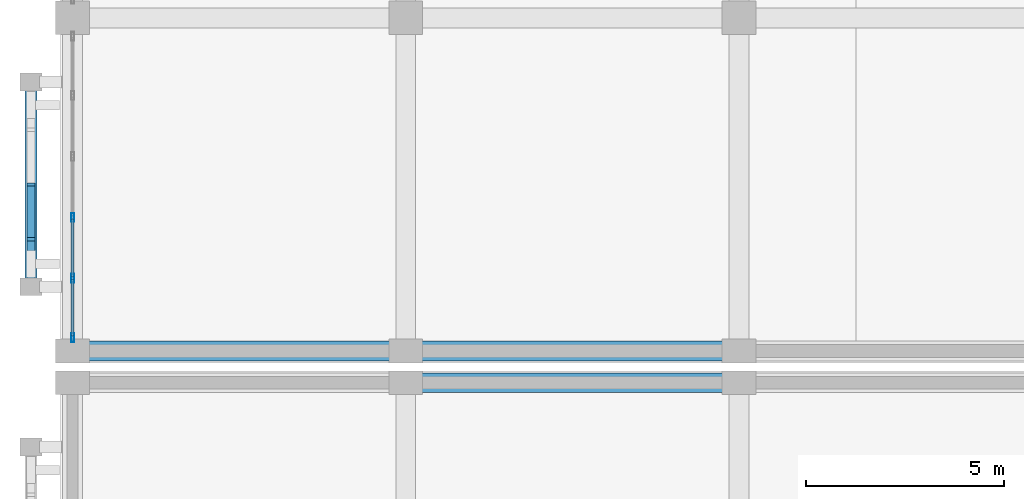
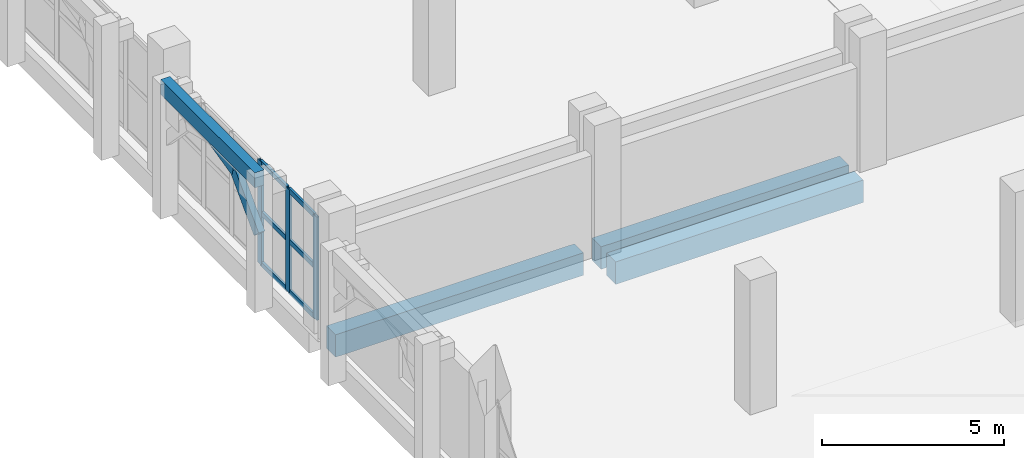
# One storey, part 22 of 137: 11 members, 4 beams, 1 element without a shape of its own.
"""IFC4 building model written with IfcOpenShell, lengths in metres."""

from ifc_helpers import new_model, si_unit, direction, frame, origin, origin_2d, place, context, subcontext, project, spatial, rectangle, hollow_rectangle, extrude, material, layer, layer_set, material_profile, profile_set, type_object, element, aggregate, save


model = new_model("IFC4")

# Units and contexts
model_context = context("Model", 3, precision=1e-05, world=origin(), true_north=direction((0.0, 1.0)))
body_context = subcontext(model_context, "Body", "Model", "MODEL_VIEW")
ifc_project = project(units=[si_unit("LENGTHUNIT", "METRE"), si_unit("AREAUNIT", "SQUARE_METRE"), si_unit("VOLUMEUNIT", "CUBIC_METRE"), si_unit("PLANEANGLEUNIT", "RADIAN"), si_unit("MASSUNIT", "GRAM", prefix="KILO")], contexts=[model_context])

# Site, building, storey
site_placement = place(None, origin())
site = spatial("IfcSite", under=ifc_project, at=site_placement, CompositionType="ELEMENT")
building_placement = place(site_placement, origin())
building = spatial("IfcBuilding", under=site, at=building_placement, Name="Xazarin Passage Department Store", CompositionType="ELEMENT")
storey_placement = place(building_placement, frame((0.0, 0.0, 5.39990234375)))
storey = spatial("IfcBuildingStorey", under=building, at=storey_placement, Name="L01", CompositionType="ELEMENT", Elevation=5.39990234375)

# Curtain wall, members
ifc_material_1 = material(Name="Bronze anodised aluminium", Category="aluminium")
ifc_layer = layer(ifc_material_1, 0.179931640625)
ifc_layer_set = layer_set([ifc_layer], Name="Bronze anodised aluminium")
curtain_wall_type = type_object("IfcCurtainWallType", Name="ARC-CW-VIT1", PredefinedType="NOTDEFINED", material=ifc_layer_set)
curtain_wall_placement = place(storey_placement, origin())
curtain_wall = element("IfcCurtainWall", 1, at=curtain_wall_placement, inside=storey, type_object=curtain_wall_type, Name="L01 V1 Curtain Wall 018", PredefinedType="NOTDEFINED")
ifc_material_profile_1 = material_profile(ifc_material_1, hollow_rectangle(XDim=0.074951171875, YDim=0.219970703125, WallThickness=0.0048828125, at=origin_2d()), Name="ALU 75x220")
ifc_profile_set_1 = profile_set([ifc_material_profile_1], Name="Bronze anodised aluminium")
member_type_1 = type_object("IfcMemberType", Name="ARC-CWM-75x220", PredefinedType="MULLION", material=ifc_profile_set_1)
member_1_placement = place(storey_placement, frame((0.0, 51.53759765625, 0.0), z_axis=(0.0, 0.0, 1.0), x_axis=(-1.0, 0.0, 0.0)))
member_1 = element("IfcMember", 2, at=member_1_placement, type_object=member_type_1, Name="CW1 mullion 1", PredefinedType="MULLION", context=body_context, shape_type="SweptSolid", body=[
    extrude(hollow_rectangle(XDim=0.074951171875, YDim=0.219970703125, WallThickness=0.0048828125, at=origin_2d()), origin(), (0.0, 0.0, 1.0), 3.4501953125),
])
member_2_placement = place(storey_placement, frame((0.0, 53.034912109375, 0.0), z_axis=(0.0, 0.0, 1.0), x_axis=(-1.0, 0.0, 0.0)))
member_2 = element("IfcMember", 3, at=member_2_placement, type_object=member_type_1, Name="CW1 mullion 2", PredefinedType="MULLION", context=body_context, shape_type="SweptSolid", body=[
    extrude(hollow_rectangle(XDim=0.074951171875, YDim=0.219970703125, WallThickness=0.0048828125, at=origin_2d()), origin(), (0.0, 0.0, 1.0), 3.4501953125),
])
member_3_placement = place(storey_placement, frame((0.0, 54.570068359375, 0.0), z_axis=(0.0, 0.0, 1.0), x_axis=(-1.0, 0.0, 0.0)))
member_3 = element("IfcMember", 4, at=member_3_placement, type_object=member_type_1, Name="CW1 mullion 3", PredefinedType="MULLION", context=body_context, shape_type="SweptSolid", body=[
    extrude(hollow_rectangle(XDim=0.074951171875, YDim=0.219970703125, WallThickness=0.0048828125, at=origin_2d()), origin(), (0.0, 0.0, 1.0), 3.4501953125),
])
ifc_material_profile_2 = material_profile(ifc_material_1, hollow_rectangle(XDim=0.074951171875, YDim=0.159912109375, WallThickness=0.00439453125, at=origin_2d()), Name="ALU 75x160")
ifc_profile_set_2 = profile_set([ifc_material_profile_2], Name="Bronze anodised aluminium")
member_type_2 = type_object("IfcMemberType", Name="ARC-CWT-75x160", PredefinedType="USERDEFINED", material=ifc_profile_set_2)
member_4_placement = place(storey_placement, frame((0.0, 51.574951171875, 0.03759765625), z_axis=(0.0, 1.0, 0.0), x_axis=(-1.0, 0.0, 0.0)))
member_4 = element("IfcMember", 5, at=member_4_placement, type_object=member_type_2, Name="CW1 transom 1.1", ObjectType="TRANSOM", PredefinedType="USERDEFINED", context=body_context, shape_type="SweptSolid", body=[
    extrude(hollow_rectangle(XDim=0.074951171875, YDim=0.159912109375, WallThickness=0.00439453125, at=origin_2d()), origin(), (0.0, 0.0, 1.0), 1.422607421875),
])
member_5_placement = place(storey_placement, frame((0.0, 51.574951171875, 1.72509765625), z_axis=(0.0, 1.0, 0.0), x_axis=(-1.0, 0.0, 0.0)))
member_5 = element("IfcMember", 6, at=member_5_placement, type_object=member_type_2, Name="CW1 transom 1.2", ObjectType="TRANSOM", PredefinedType="USERDEFINED", context=body_context, shape_type="SweptSolid", body=[
    extrude(hollow_rectangle(XDim=0.074951171875, YDim=0.159912109375, WallThickness=0.00439453125, at=origin_2d()), origin(), (0.0, 0.0, 1.0), 1.422607421875),
])
member_6_placement = place(storey_placement, frame((0.0, 51.574951171875, 3.41259765625), z_axis=(0.0, 1.0, 0.0), x_axis=(-1.0, 0.0, 0.0)))
member_6 = element("IfcMember", 7, at=member_6_placement, type_object=member_type_2, Name="CW1 transom 1.3", ObjectType="TRANSOM", PredefinedType="USERDEFINED", context=body_context, shape_type="SweptSolid", body=[
    extrude(hollow_rectangle(XDim=0.074951171875, YDim=0.159912109375, WallThickness=0.00439453125, at=origin_2d()), origin(), (0.0, 0.0, 1.0), 1.422607421875),
])
member_7_placement = place(storey_placement, frame((0.0, 53.072509765625, 0.03759765625), z_axis=(0.0, 1.0, 0.0), x_axis=(-1.0, 0.0, 0.0)))
member_7 = element("IfcMember", 8, at=member_7_placement, type_object=member_type_2, Name="CW1 transom 2.1", ObjectType="TRANSOM", PredefinedType="USERDEFINED", context=body_context, shape_type="SweptSolid", body=[
    extrude(hollow_rectangle(XDim=0.074951171875, YDim=0.159912109375, WallThickness=0.00439453125, at=origin_2d()), origin(), (0.0, 0.0, 1.0), 1.4599609375),
])
member_8_placement = place(storey_placement, frame((0.0, 53.072509765625, 1.72509765625), z_axis=(0.0, 1.0, 0.0), x_axis=(-1.0, 0.0, 0.0)))
member_8 = element("IfcMember", 9, at=member_8_placement, type_object=member_type_2, Name="CW1 transom 2.2", ObjectType="TRANSOM", PredefinedType="USERDEFINED", context=body_context, shape_type="SweptSolid", body=[
    extrude(hollow_rectangle(XDim=0.074951171875, YDim=0.159912109375, WallThickness=0.00439453125, at=origin_2d()), origin(), (0.0, 0.0, 1.0), 1.4599609375),
])
member_9_placement = place(storey_placement, frame((0.0, 53.072509765625, 3.41259765625), z_axis=(0.0, 1.0, 0.0), x_axis=(-1.0, 0.0, 0.0)))
member_9 = element("IfcMember", 10, at=member_9_placement, type_object=member_type_2, Name="CW1 transom 2.3", ObjectType="TRANSOM", PredefinedType="USERDEFINED", context=body_context, shape_type="SweptSolid", body=[
    extrude(hollow_rectangle(XDim=0.074951171875, YDim=0.159912109375, WallThickness=0.00439453125, at=origin_2d()), origin(), (0.0, 0.0, 1.0), 1.4599609375),
])
aggregate(curtain_wall, [member_1, member_2, member_3, member_4, member_5, member_6, member_7, member_8, member_9])

# Beams
ifc_material_2 = material(Name="Concrete C35/45", Category="concrete")
ifc_material_profile_3 = material_profile(ifc_material_2, rectangle(XDim=0.300048828125, YDim=0.5, at=origin_2d()), Name="RC 300x500")
ifc_profile_set_3 = profile_set([ifc_material_profile_3], Name="Concrete C35/45")
beam_type_1 = type_object("IfcBeamType", Name="STR-BM-LN300x500", PredefinedType="LINTEL", material=ifc_profile_set_3)
beam_placement = place(storey_placement, frame((-1.050048828125, 52.820068359375, 4.25), z_axis=(0.0, 1.0, 0.0), x_axis=(-1.0, 0.0, 0.0)))
element("IfcBeam", 11, at=beam_placement, inside=storey, type_object=beam_type_1, Name="L01 V1 Colonnade Spandrel Beam 008", PredefinedType="LINTEL", context=body_context, shape_type="SweptSolid", body=[
    extrude(rectangle(XDim=0.300048828125, YDim=0.5, at=origin_2d()), origin(), (0.0, 0.0, 1.0), 5.159912109375),
])
ifc_material_profile_4 = material_profile(ifc_material_2, rectangle(XDim=0.5, YDim=0.75, at=origin_2d()), Name="RC 500x750")
ifc_profile_set_4 = profile_set([ifc_material_profile_4], Name="Concrete C35/45")
beam_type_2 = type_object("IfcBeamType", Name="STR-BM-SP500x750", PredefinedType="SPANDREL", material=ifc_profile_set_4)
for number, where, z_axis, x_axis, name in (
    (12, (0.280029296875, 51.199951171875, -0.6748046875), (1.0, 0.0, 0.0), (0.0, 1.0, 0.0), "L01 Grid Beam H/1-2"),
    (13, (8.679931640625, 51.199951171875, -0.6748046875), (1.0, 0.0, 0.0), (0.0, 1.0, 0.0), "L01 Grid Beam H/2-3"),
    (14, (8.679931640625, 50.39990234375, -0.69482421875), (1.0, 0.0, 0.0), (0.0, 1.0, 0.0), "L01 Grid Beam G/2-3"),
):
    element("IfcBeam", number, at=place(storey_placement, frame(where, z_axis=z_axis, x_axis=x_axis)), inside=storey, type_object=beam_type_2, Name=name, PredefinedType="SPANDREL", context=body_context, shape_type="SweptSolid", body=[
        extrude(rectangle(XDim=0.5, YDim=0.75, at=origin_2d()), origin(), (0.0, 0.0, 1.0), 7.840087890625),
    ])

# Members
ifc_material_3 = material(Name="Concrete C40/50", Category="concrete")
ifc_material_profile_5 = material_profile(ifc_material_3, rectangle(XDim=0.199951171875, YDim=0.360107421875, at=origin_2d()), Name="RC 200x360")
ifc_profile_set_5 = profile_set([ifc_material_profile_5], Name="Concrete C40/50")
member_type_3 = type_object("IfcMemberType", Name="STR-MEM-ARC360", PredefinedType="CHORD", material=ifc_profile_set_5)
member_10_placement = place(storey_placement, frame((-1.050048828125, 52.820068359375, 2.43017578125), z_axis=(0.0, 0.693460080602, 0.720495049679), x_axis=(-1.0, 0.0, 0.0)))
element("IfcMember", 15, at=member_10_placement, inside=storey, type_object=member_type_3, Name="L01 V1 Pierced Lattice Curved Arch 008.1", PredefinedType="CHORD", context=body_context, shape_type="SweptSolid", body=[
    extrude(rectangle(XDim=0.199951171875, YDim=0.360107421875, at=origin_2d()), origin(), (0.0, 0.0, 1.0), 1.8603515625),
])
member_11_placement = place(storey_placement, frame((-1.050048828125, 54.110107421875, 3.7705078125), z_axis=(0.0, 0.972383960415, 0.233386875224), x_axis=(-1.0, 0.0, 0.0)))
element("IfcMember", 16, at=member_11_placement, inside=storey, type_object=member_type_3, Name="L01 V1 Pierced Lattice Curved Arch 008.2", PredefinedType="CHORD", context=body_context, shape_type="SweptSolid", body=[
    extrude(rectangle(XDim=0.199951171875, YDim=0.360107421875, at=origin_2d()), origin(), (0.0, 0.0, 1.0), 1.326416015625),
])

save(model, "model.ifc")
